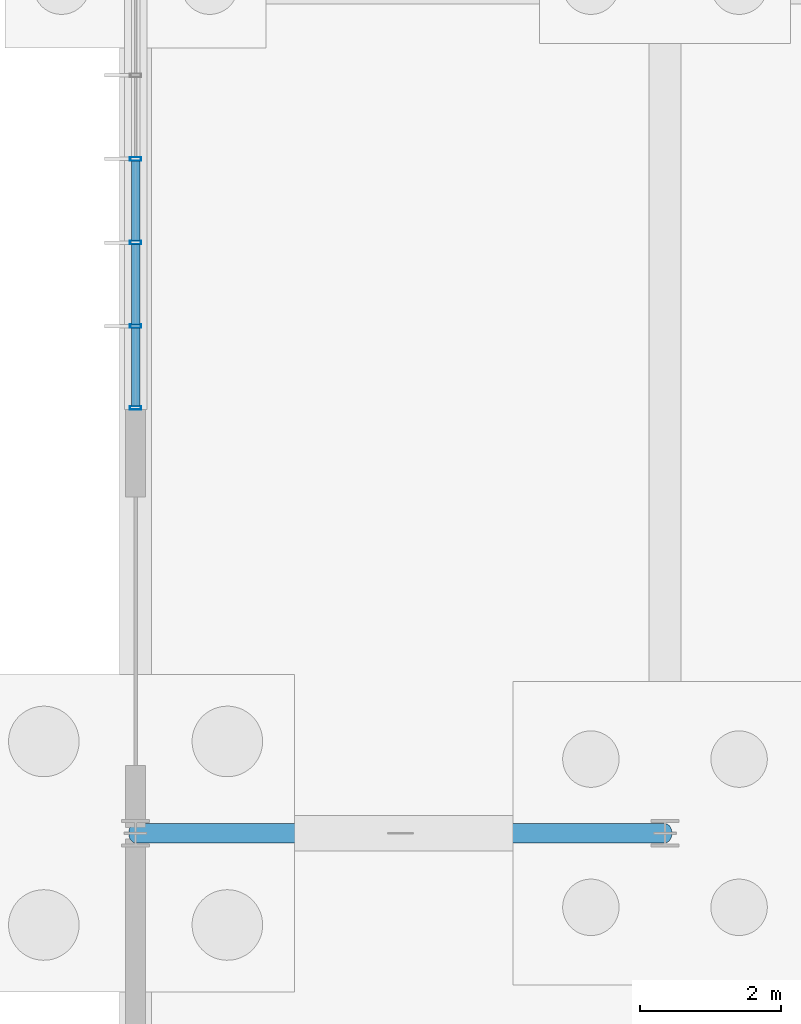
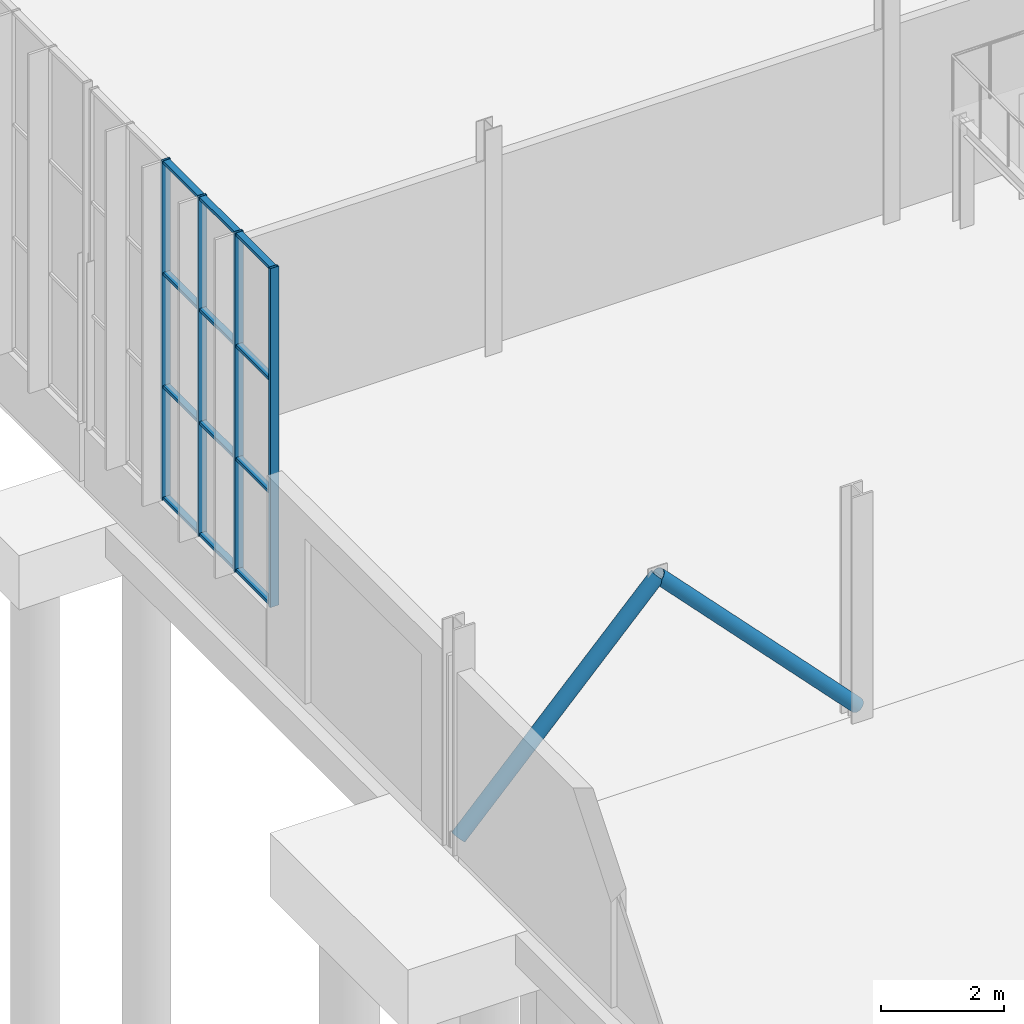
# One storey, part 45 of 136: 18 members, 1 element without a shape of its own.
"""IFC4 building model written with IfcOpenShell, lengths in metres."""

from ifc_helpers import new_model, si_unit, direction, frame, origin, origin_2d, place, context, subcontext, project, spatial, hollow_rectangle, hollow_circle, extrude, material, layer, layer_set, material_profile, profile_set, type_object, element, aggregate, save


model = new_model("IFC4")

# Units and contexts
model_context = context("Model", 3, precision=1e-05, world=origin(), true_north=direction((0.0, 1.0)))
body_context = subcontext(model_context, "Body", "Model", "MODEL_VIEW")
ifc_project = project(units=[si_unit("LENGTHUNIT", "METRE"), si_unit("AREAUNIT", "SQUARE_METRE"), si_unit("VOLUMEUNIT", "CUBIC_METRE"), si_unit("PLANEANGLEUNIT", "RADIAN"), si_unit("MASSUNIT", "GRAM", prefix="KILO")], contexts=[model_context])

# Site, building, storey
site_placement = place(None, origin())
site = spatial("IfcSite", under=ifc_project, at=site_placement, CompositionType="ELEMENT")
building_placement = place(site_placement, origin())
building = spatial("IfcBuilding", under=site, at=building_placement, Name="Solvenia Promenade Tram Depot", CompositionType="ELEMENT")
storey_placement = place(building_placement, origin())
storey = spatial("IfcBuildingStorey", under=building, at=storey_placement, Name="L00", CompositionType="ELEMENT", Elevation=0.0)

# Members
ifc_material_1 = material(Name="Structural steel ASTM A500 Gr. C", Category="steel")
ifc_material_profile_1 = material_profile(ifc_material_1, hollow_circle(Radius=0.136474609375, WallThickness=0.010009765625, at=origin_2d()), Name="CHS273.0x10", Category="steel")
ifc_profile_set_1 = profile_set([ifc_material_profile_1], Name="Structural steel ASTM A500 Gr. C")
member_type_1 = type_object("IfcMemberType", Name="Brace-CHS273x10", PredefinedType="BRACE", material=ifc_profile_set_1)
for number, where, z_axis, x_axis, name in (
    (1, (0.0, 66.0, 0.199951171875), (0.693095189519, 0.0, 0.720846071131), (0.0, 1.0, 0.0), "PAC-DES Chevron Brace 01L"),
    (2, (7.5, 66.0, 0.199951171875), (-0.693095189519, 0.0, 0.720846071131), (0.0, -1.0, 0.0), "PAC-DES Chevron Brace 01R"),
):
    element("IfcMember", number, at=place(storey_placement, frame(where, z_axis=z_axis, x_axis=x_axis)), inside=storey, type_object=member_type_1, Name=name, PredefinedType="BRACE", context=body_context, shape_type="SweptSolid", body=[
        extrude(hollow_circle(Radius=0.136474609375, WallThickness=0.010009765625, at=origin_2d()), origin(), (0.0, 0.0, 1.0), 5.410400390625),
    ])

# Curtain wall, members
ifc_material_2 = material(Name="Anodized aluminium AW-6063 T6", Category="aluminium")
ifc_layer = layer(ifc_material_2, 0.159912109375, Name="Anodized aluminium AW-6063 T6", Category="aluminium")
ifc_layer_set = layer_set([ifc_layer], Name="Anodized aluminium AW-6063 T6")
curtain_wall_type = type_object("IfcCurtainWallType", Name="CW-Channel-1200", PredefinedType="NOTDEFINED", material=ifc_layer_set)
curtain_wall_placement = place(storey_placement, origin())
curtain_wall = element("IfcCurtainWall", 3, at=curtain_wall_placement, inside=storey, type_object=curtain_wall_type, Name="Curtain Wall CW-V1W-02", PredefinedType="NOTDEFINED")
ifc_material_profile_2 = material_profile(ifc_material_2, hollow_rectangle(XDim=0.159912109375, YDim=0.052001953125, WallThickness=0.00390625, at=origin_2d()), Name="ALU-M1", Category="aluminium")
ifc_profile_set_2 = profile_set([ifc_material_profile_2], Name="Anodized aluminium AW-6063 T6")
member_type_2 = type_object("IfcMemberType", Name="CWM-Mullion-1", PredefinedType="MULLION", material=ifc_profile_set_2)
member_1_placement = place(storey_placement, frame((0.0, 72.02587890625, 1.14990234375), z_axis=(0.0, 0.0, 1.0), x_axis=(-1.0, 0.0, 0.0)))
member_1 = element("IfcMember", 4, at=member_1_placement, type_object=member_type_2, Name="CW-1 mullion 1", PredefinedType="MULLION", context=body_context, shape_type="SweptSolid", body=[
    extrude(hollow_rectangle(XDim=0.159912109375, YDim=0.052001953125, WallThickness=0.00390625, at=origin_2d()), origin(), (0.0, 0.0, 1.0), 6.75),
])
member_2_placement = place(storey_placement, frame((0.0, 73.18408203125, 1.14990234375), z_axis=(0.0, 0.0, 1.0), x_axis=(-1.0, 0.0, 0.0)))
member_2 = element("IfcMember", 5, at=member_2_placement, type_object=member_type_2, Name="CW-1 mullion 2", PredefinedType="MULLION", context=body_context, shape_type="SweptSolid", body=[
    extrude(hollow_rectangle(XDim=0.159912109375, YDim=0.052001953125, WallThickness=0.00390625, at=origin_2d()), origin(), (0.0, 0.0, 1.0), 6.75),
])
member_3_placement = place(storey_placement, frame((0.0, 74.367919921875, 1.14990234375), z_axis=(0.0, 0.0, 1.0), x_axis=(-1.0, 0.0, 0.0)))
member_3 = element("IfcMember", 6, at=member_3_placement, type_object=member_type_2, Name="CW-1 mullion 3", PredefinedType="MULLION", context=body_context, shape_type="SweptSolid", body=[
    extrude(hollow_rectangle(XDim=0.159912109375, YDim=0.052001953125, WallThickness=0.00390625, at=origin_2d()), origin(), (0.0, 0.0, 1.0), 6.75),
])
member_4_placement = place(storey_placement, frame((0.0, 75.552001953125, 1.14990234375), z_axis=(0.0, 0.0, 1.0), x_axis=(-1.0, 0.0, 0.0)))
member_4 = element("IfcMember", 7, at=member_4_placement, type_object=member_type_2, Name="CW-1 mullion 4", PredefinedType="MULLION", context=body_context, shape_type="SweptSolid", body=[
    extrude(hollow_rectangle(XDim=0.159912109375, YDim=0.052001953125, WallThickness=0.00390625, at=origin_2d()), origin(), (0.0, 0.0, 1.0), 6.75),
])
ifc_material_profile_3 = material_profile(ifc_material_2, hollow_rectangle(XDim=0.1201171875, YDim=0.06005859375, WallThickness=0.00390625, at=origin_2d()), Name="ALU-T1", Category="aluminium")
ifc_profile_set_3 = profile_set([ifc_material_profile_3], Name="Anodized aluminium AW-6063 T6")
member_type_3 = type_object("IfcMemberType", Name="CWT-Transom-1", PredefinedType="USERDEFINED", material=ifc_profile_set_3)
member_5_placement = place(storey_placement, frame((0.0, 72.052001953125, 1.179931640625), z_axis=(0.0, 1.0, 0.0), x_axis=(-1.0, 0.0, 0.0)))
member_5 = element("IfcMember", 8, at=member_5_placement, type_object=member_type_3, Name="CW-1 transom 1.1", ObjectType="TRANSOM", PredefinedType="USERDEFINED", context=body_context, shape_type="SweptSolid", body=[
    extrude(hollow_rectangle(XDim=0.1201171875, YDim=0.06005859375, WallThickness=0.00390625, at=origin_2d()), origin(), (0.0, 0.0, 1.0), 1.10595703125),
])
member_6_placement = place(storey_placement, frame((0.0, 72.052001953125, 3.39990234375), z_axis=(0.0, 1.0, 0.0), x_axis=(-1.0, 0.0, 0.0)))
member_6 = element("IfcMember", 9, at=member_6_placement, type_object=member_type_3, Name="CW-1 transom 1.2", ObjectType="TRANSOM", PredefinedType="USERDEFINED", context=body_context, shape_type="SweptSolid", body=[
    extrude(hollow_rectangle(XDim=0.1201171875, YDim=0.06005859375, WallThickness=0.00390625, at=origin_2d()), origin(), (0.0, 0.0, 1.0), 1.10595703125),
])
member_7_placement = place(storey_placement, frame((0.0, 72.052001953125, 5.64990234375), z_axis=(0.0, 1.0, 0.0), x_axis=(-1.0, 0.0, 0.0)))
member_7 = element("IfcMember", 10, at=member_7_placement, type_object=member_type_3, Name="CW-1 transom 1.3", ObjectType="TRANSOM", PredefinedType="USERDEFINED", context=body_context, shape_type="SweptSolid", body=[
    extrude(hollow_rectangle(XDim=0.1201171875, YDim=0.06005859375, WallThickness=0.00390625, at=origin_2d()), origin(), (0.0, 0.0, 1.0), 1.10595703125),
])
member_8_placement = place(storey_placement, frame((0.0, 72.052001953125, 7.8701171875), z_axis=(0.0, 1.0, 0.0), x_axis=(-1.0, 0.0, 0.0)))
member_8 = element("IfcMember", 11, at=member_8_placement, type_object=member_type_3, Name="CW-1 transom 1.4", ObjectType="TRANSOM", PredefinedType="USERDEFINED", context=body_context, shape_type="SweptSolid", body=[
    extrude(hollow_rectangle(XDim=0.1201171875, YDim=0.06005859375, WallThickness=0.00390625, at=origin_2d()), origin(), (0.0, 0.0, 1.0), 1.10595703125),
])
member_9_placement = place(storey_placement, frame((0.0, 73.2099609375, 1.179931640625), z_axis=(0.0, 1.0, 0.0), x_axis=(-1.0, 0.0, 0.0)))
member_9 = element("IfcMember", 12, at=member_9_placement, type_object=member_type_3, Name="CW-1 transom 2.1", ObjectType="TRANSOM", PredefinedType="USERDEFINED", context=body_context, shape_type="SweptSolid", body=[
    extrude(hollow_rectangle(XDim=0.1201171875, YDim=0.06005859375, WallThickness=0.00390625, at=origin_2d()), origin(), (0.0, 0.0, 1.0), 1.132080078125),
])
member_10_placement = place(storey_placement, frame((0.0, 73.2099609375, 3.39990234375), z_axis=(0.0, 1.0, 0.0), x_axis=(-1.0, 0.0, 0.0)))
member_10 = element("IfcMember", 13, at=member_10_placement, type_object=member_type_3, Name="CW-1 transom 2.2", ObjectType="TRANSOM", PredefinedType="USERDEFINED", context=body_context, shape_type="SweptSolid", body=[
    extrude(hollow_rectangle(XDim=0.1201171875, YDim=0.06005859375, WallThickness=0.00390625, at=origin_2d()), origin(), (0.0, 0.0, 1.0), 1.132080078125),
])
member_11_placement = place(storey_placement, frame((0.0, 73.2099609375, 5.64990234375), z_axis=(0.0, 1.0, 0.0), x_axis=(-1.0, 0.0, 0.0)))
member_11 = element("IfcMember", 14, at=member_11_placement, type_object=member_type_3, Name="CW-1 transom 2.3", ObjectType="TRANSOM", PredefinedType="USERDEFINED", context=body_context, shape_type="SweptSolid", body=[
    extrude(hollow_rectangle(XDim=0.1201171875, YDim=0.06005859375, WallThickness=0.00390625, at=origin_2d()), origin(), (0.0, 0.0, 1.0), 1.132080078125),
])
member_12_placement = place(storey_placement, frame((0.0, 73.2099609375, 7.8701171875), z_axis=(0.0, 1.0, 0.0), x_axis=(-1.0, 0.0, 0.0)))
member_12 = element("IfcMember", 15, at=member_12_placement, type_object=member_type_3, Name="CW-1 transom 2.4", ObjectType="TRANSOM", PredefinedType="USERDEFINED", context=body_context, shape_type="SweptSolid", body=[
    extrude(hollow_rectangle(XDim=0.1201171875, YDim=0.06005859375, WallThickness=0.00390625, at=origin_2d()), origin(), (0.0, 0.0, 1.0), 1.132080078125),
])
member_13_placement = place(storey_placement, frame((0.0, 74.39404296875, 1.179931640625), z_axis=(0.0, 1.0, 0.0), x_axis=(-1.0, 0.0, 0.0)))
member_13 = element("IfcMember", 16, at=member_13_placement, type_object=member_type_3, Name="CW-1 transom 3.1", ObjectType="TRANSOM", PredefinedType="USERDEFINED", context=body_context, shape_type="SweptSolid", body=[
    extrude(hollow_rectangle(XDim=0.1201171875, YDim=0.06005859375, WallThickness=0.00390625, at=origin_2d()), origin(), (0.0, 0.0, 1.0), 1.1318359375),
])
member_14_placement = place(storey_placement, frame((0.0, 74.39404296875, 3.39990234375), z_axis=(0.0, 1.0, 0.0), x_axis=(-1.0, 0.0, 0.0)))
member_14 = element("IfcMember", 17, at=member_14_placement, type_object=member_type_3, Name="CW-1 transom 3.2", ObjectType="TRANSOM", PredefinedType="USERDEFINED", context=body_context, shape_type="SweptSolid", body=[
    extrude(hollow_rectangle(XDim=0.1201171875, YDim=0.06005859375, WallThickness=0.00390625, at=origin_2d()), origin(), (0.0, 0.0, 1.0), 1.1318359375),
])
member_15_placement = place(storey_placement, frame((0.0, 74.39404296875, 5.64990234375), z_axis=(0.0, 1.0, 0.0), x_axis=(-1.0, 0.0, 0.0)))
member_15 = element("IfcMember", 18, at=member_15_placement, type_object=member_type_3, Name="CW-1 transom 3.3", ObjectType="TRANSOM", PredefinedType="USERDEFINED", context=body_context, shape_type="SweptSolid", body=[
    extrude(hollow_rectangle(XDim=0.1201171875, YDim=0.06005859375, WallThickness=0.00390625, at=origin_2d()), origin(), (0.0, 0.0, 1.0), 1.1318359375),
])
member_16_placement = place(storey_placement, frame((0.0, 74.39404296875, 7.8701171875), z_axis=(0.0, 1.0, 0.0), x_axis=(-1.0, 0.0, 0.0)))
member_16 = element("IfcMember", 19, at=member_16_placement, type_object=member_type_3, Name="CW-1 transom 3.4", ObjectType="TRANSOM", PredefinedType="USERDEFINED", context=body_context, shape_type="SweptSolid", body=[
    extrude(hollow_rectangle(XDim=0.1201171875, YDim=0.06005859375, WallThickness=0.00390625, at=origin_2d()), origin(), (0.0, 0.0, 1.0), 1.1318359375),
])
aggregate(curtain_wall, [member_1, member_2, member_3, member_4, member_5, member_6, member_7, member_8, member_9, member_10, member_11, member_12, member_13, member_14, member_15, member_16])

save(model, "model.ifc")
